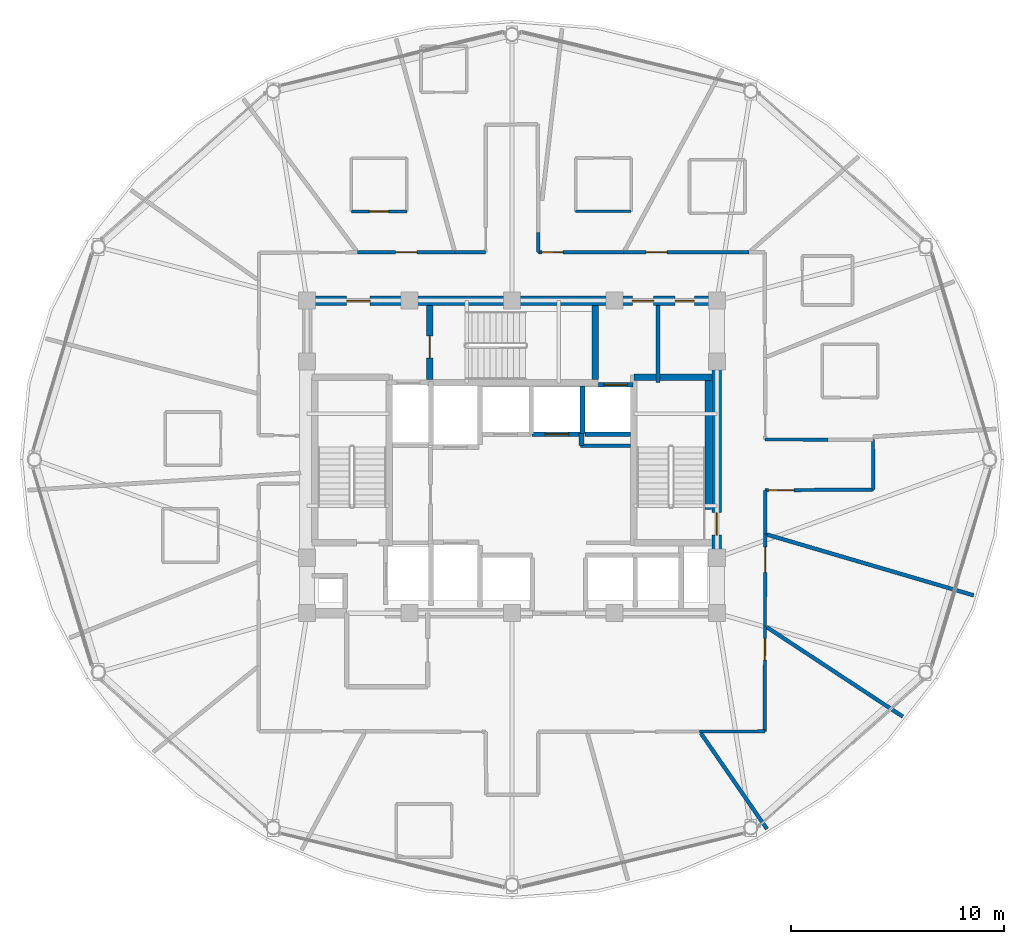
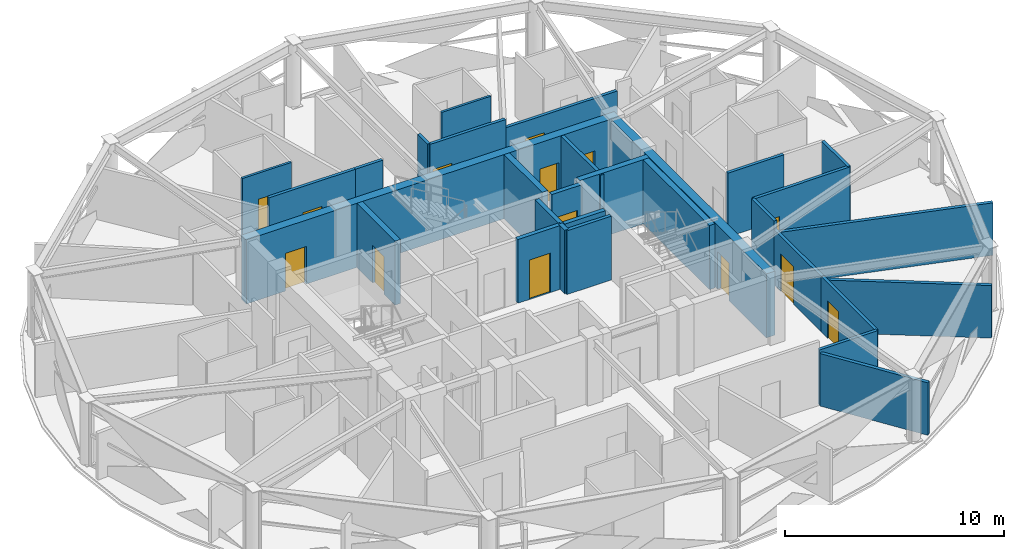
# One storey, part 24 of 30: 30 walls, 14 doors, 14 openings.
"""IFC4 building model written with IfcOpenShell, lengths in metres."""

from ifc_helpers import new_model, si_unit, direction, frame, frame_2d, origin, place, context, subcontext, project, spatial, rectangle, extrude, material, layer, layer_set, type_object, element, fill, save


model = new_model("IFC4")

# Units and contexts
model_context = context("Model", 3, precision=1e-05, world=origin(), true_north=direction((0.0, 1.0)))
body_context = subcontext(model_context, "Body", "Model", "MODEL_VIEW")
ifc_project = project(units=[si_unit("LENGTHUNIT", "METRE"), si_unit("AREAUNIT", "SQUARE_METRE"), si_unit("VOLUMEUNIT", "CUBIC_METRE"), si_unit("PLANEANGLEUNIT", "RADIAN"), si_unit("MASSUNIT", "GRAM", prefix="KILO")], contexts=[model_context])

# Site, building, storey
site_placement = place(None, origin())
site = spatial("IfcSite", under=ifc_project, at=site_placement, CompositionType="ELEMENT")
building_placement = place(site_placement, origin())
building = spatial("IfcBuilding", under=site, at=building_placement, Name="Vantalir Tower", CompositionType="ELEMENT")
storey_placement = place(building_placement, frame((0.0, 0.0, 201.14990234375)))
storey = spatial("IfcBuildingStorey", under=building, at=storey_placement, Name="L50", CompositionType="ELEMENT", Elevation=201.14990234375)

# Wall
ifc_material_1 = material(Name="Moisture-resistant en-suite partition", Category="gypsum")
ifc_layer_1 = layer(ifc_material_1, 0.125)
ifc_layer_set_1 = layer_set([ifc_layer_1], Name="Moisture-resistant en-suite partition")
wall_type_1 = type_object("IfcWallType", Name="WL-BATH-125", PredefinedType="PARTITIONING", material=ifc_layer_set_1)
wall_1_placement = place(storey_placement, frame((34.48095703125, 36.634033203125, 0.0), z_axis=(0.0, 0.0, 1.0), x_axis=(1.0, 0.0, 0.0)))
element("IfcWall", 1, at=wall_1_placement, inside=storey, type_object=wall_type_1, Name="L50 En-suite 04 South Wall", PredefinedType="PARTITIONING", context=body_context, shape_type="SweptSolid", body=[
    extrude(rectangle(XDim=2.60009765625, YDim=0.125, at=frame_2d((1.300048828125, 0.0))), origin(), (0.0, 0.0, 1.0), 3.550048828125),
])

# Wall, opening, door
wall_2_placement = place(storey_placement, frame((23.970947265625, 36.6259765625, 0.0), z_axis=(0.0, 0.0, 1.0), x_axis=(1.0, 0.0, 0.0)))
wall_2 = element("IfcWall", 2, at=wall_2_placement, inside=storey, type_object=wall_type_1, Name="L50 En-suite 06 South Wall", PredefinedType="PARTITIONING", context=body_context, shape_type="SweptSolid", body=[
    extrude(rectangle(XDim=2.60009765625, YDim=0.125, at=frame_2d((1.300048828125, 0.0))), origin(), (0.0, 0.0, 1.0), 3.550048828125),
])
opening_1_placement = place(wall_2_placement, frame((0.85009765625, 0.0, 0.0)))
opening_1 = element("IfcOpeningElement", 3, at=opening_1_placement, cuts=wall_2, Name="Opening D-WC", PredefinedType="OPENING", context=body_context, shape_type="SweptSolid", body=[
    extrude(rectangle(XDim=0.89990234375, YDim=2.10009765625, at=frame_2d((0.449951171875, 1.050048828125))), frame((0.0, 0.072509765625, 0.0), z_axis=(0.0, -1.0, 0.0), x_axis=(1.0, 0.0, 0.0)), (0.0, 0.0, 1.0), 0.14501953125),
])
ifc_material_2 = material(Name="Moisture-resistant hardwood door", Category="wood")
door_type_1 = type_object("IfcDoorType", Name="DR-ENSUITE-900", OperationType="NOTDEFINED", PredefinedType="DOOR", material=ifc_material_2)
door_1_placement = place(opening_1_placement, origin())
door_1 = element("IfcDoor", 4, at=door_1_placement, inside=storey, type_object=door_type_1, Name="L50 En-suite 06 Door", OperationType="SINGLE_SWING_LEFT", OverallHeight=2.10009765625, OverallWidth=0.89990234375, PredefinedType="DOOR", context=body_context, shape_type="SweptSolid", body=[
    extrude(rectangle(XDim=0.89990234375, YDim=2.10009765625, at=frame_2d((0.449951171875, 1.050048828125))), frame((0.0, 0.02490234375, 0.0), z_axis=(0.0, -1.0, 0.0), x_axis=(1.0, 0.0, 0.0)), (0.0, 0.0, 1.0), 0.050048828125),
])
fill(opening_1, door_1)

# Wall, openings, doors
ifc_material_3 = material(Name="Concrete C50/60", Category="concrete")
ifc_layer_2 = layer(ifc_material_3, 0.449951171875)
ifc_layer_set_2 = layer_set([ifc_layer_2], Name="Concrete C50/60")
wall_type_2 = type_object("IfcWallType", Name="WL-CORE-450", PredefinedType="SHEAR", material=ifc_layer_set_2)
wall_3_placement = place(storey_placement, frame((21.675048828125, 32.449951171875, 0.0), z_axis=(0.0, 0.0, 1.0), x_axis=(1.0, 0.0, 0.0)))
wall_3 = element("IfcWall", 5, at=wall_3_placement, inside=storey, type_object=wall_type_2, Name="L50 Core Shear Wall North", PredefinedType="SHEAR", context=body_context, shape_type="SweptSolid", body=[
    extrude(rectangle(XDim=19.64990234375, YDim=0.449951171875, at=frame_2d((9.824951171875, 0.0))), origin(), (0.0, 0.0, 1.0), 3.570068359375),
])
opening_2_placement = place(wall_3_placement, frame((2.074951171875, 0.0, 0.0)))
opening_2 = element("IfcOpeningElement", 6, at=opening_2_placement, cuts=wall_3, Name="Opening D-FFL", PredefinedType="OPENING", context=body_context, shape_type="SweptSolid", body=[
    extrude(rectangle(XDim=1.10009765625, YDim=2.10009765625, at=frame_2d((0.550048828125, 1.050048828125))), frame((0.0, 0.23486328125, 0.0), z_axis=(0.0, -1.0, 0.0), x_axis=(1.0, 0.0, 0.0)), (0.0, 0.0, 1.0), 0.469970703125),
])
opening_3_placement = place(wall_3_placement, frame((15.465087890625, 0.0, 0.0)))
opening_3 = element("IfcOpeningElement", 7, at=opening_3_placement, cuts=wall_3, Name="Opening D-GUEST", PredefinedType="OPENING", context=body_context, shape_type="SweptSolid", body=[
    extrude(rectangle(XDim=1.0, YDim=2.10009765625, at=frame_2d((0.5, 1.050048828125))), frame((0.0, 0.23486328125, 0.0), z_axis=(0.0, -1.0, 0.0), x_axis=(1.0, 0.0, 0.0)), (0.0, 0.0, 1.0), 0.469970703125),
])
opening_4_placement = place(wall_3_placement, frame((17.47509765625, 0.0, 0.0)))
opening_4 = element("IfcOpeningElement", 8, at=opening_4_placement, cuts=wall_3, Name="Opening D-CR", PredefinedType="OPENING", context=body_context, shape_type="SweptSolid", body=[
    extrude(rectangle(XDim=0.89990234375, YDim=2.10009765625, at=frame_2d((0.449951171875, 1.050048828125))), frame((0.0, 0.23486328125, 0.0), z_axis=(0.0, -1.0, 0.0), x_axis=(1.0, 0.0, 0.0)), (0.0, 0.0, 1.0), 0.469970703125),
])
ifc_material_4 = material(Name="Fire-rated steel core service door", Category="steel")
door_type_2 = type_object("IfcDoorType", Name="DR-CORE-SERV-900", OperationType="NOTDEFINED", PredefinedType="DOOR", material=ifc_material_4)
door_2_placement = place(opening_4_placement, frame((0.89990234375, 0.0, 0.0), z_axis=(0.0, 0.0, 1.0), x_axis=(-1.0, 0.0, 0.0)))
door_2 = element("IfcDoor", 9, at=door_2_placement, inside=storey, type_object=door_type_2, Name="L50 Housekeeping and Linen Room Door", OperationType="SINGLE_SWING_RIGHT", OverallHeight=2.10009765625, OverallWidth=0.89990234375, PredefinedType="DOOR", context=body_context, shape_type="SweptSolid", body=[
    extrude(rectangle(XDim=0.89990234375, YDim=2.10009765625, at=frame_2d((0.449951171875, 1.050048828125))), frame((0.0, 0.02490234375, 0.0), z_axis=(0.0, -1.0, 0.0), x_axis=(1.0, 0.0, 0.0)), (0.0, 0.0, 1.0), 0.050048828125),
])
fill(opening_4, door_2)
ifc_material_5 = material(Name="Fire-rated acoustic steel door", Category="steel")
door_type_3 = type_object("IfcDoorType", Name="DR-FIRE-LOBBY-1100", OperationType="NOTDEFINED", PredefinedType="DOOR", material=ifc_material_5)
door_3_placement = place(opening_2_placement, frame((1.10009765625, 0.0, 0.0), z_axis=(0.0, 0.0, 1.0), x_axis=(-1.0, 0.0, 0.0)))
door_3 = element("IfcDoor", 10, at=door_3_placement, inside=storey, type_object=door_type_3, Name="L50 Firefighting Lobby East Access Door", OperationType="SINGLE_SWING_RIGHT", OverallHeight=2.10009765625, OverallWidth=1.10009765625, PredefinedType="DOOR", context=body_context, shape_type="SweptSolid", body=[
    extrude(rectangle(XDim=1.10009765625, YDim=2.10009765625, at=frame_2d((0.550048828125, 1.050048828125))), frame((0.0, 0.02490234375, 0.0), z_axis=(0.0, -1.0, 0.0), x_axis=(1.0, 0.0, 0.0)), (0.0, 0.0, 1.0), 0.050048828125),
])
fill(opening_2, door_3)
ifc_material_6 = material(Name="Solid-core teak veneer acoustic fire door", Category="wood")
door_type_4 = type_object("IfcDoorType", Name="DR-GUEST-ENTRY-1000", OperationType="NOTDEFINED", PredefinedType="DOOR", material=ifc_material_6)
door_4_placement = place(opening_3_placement, frame((1.0, 0.0, 0.0), z_axis=(0.0, 0.0, 1.0), x_axis=(-1.0, 0.0, 0.0)))
door_4 = element("IfcDoor", 11, at=door_4_placement, inside=storey, type_object=door_type_4, Name="L50 High-Rise Lift Lobby Door", OperationType="SINGLE_SWING_LEFT", OverallHeight=2.10009765625, OverallWidth=1.0, PredefinedType="DOOR", context=body_context, shape_type="SweptSolid", body=[
    extrude(rectangle(XDim=1.0, YDim=2.10009765625, at=frame_2d((0.5, 1.050048828125))), frame((0.0, 0.02490234375, 0.0), z_axis=(0.0, -1.0, 0.0), x_axis=(1.0, 0.0, 0.0)), (0.0, 0.0, 1.0), 0.050048828125),
])
fill(opening_3, door_4)

# Wall, opening, door
wall_4_placement = place(storey_placement, frame((41.10009765625, 18.02490234375, 0.0), z_axis=(0.0, 0.0, 1.0), x_axis=(0.0, 1.0, 0.0)))
wall_4 = element("IfcWall", 12, at=wall_4_placement, inside=storey, type_object=wall_type_2, Name="L50 Core Shear Wall East", PredefinedType="SHEAR", context=body_context, shape_type="SweptSolid", body=[
    extrude(rectangle(XDim=14.2001953125, YDim=0.449951171875, at=frame_2d((7.10009765625, 0.0))), origin(), (0.0, 0.0, 1.0), 3.570068359375),
])
opening_5_placement = place(wall_4_placement, frame((3.43505859375, 0.0, 0.0)))
opening_5 = element("IfcOpeningElement", 13, at=opening_5_placement, cuts=wall_4, Name="Opening D-ST", PredefinedType="OPENING", context=body_context, shape_type="SweptSolid", body=[
    extrude(rectangle(XDim=1.050048828125, YDim=2.10009765625, at=frame_2d((0.52490234375, 1.050048828125))), frame((0.0, 0.23486328125, 0.0), z_axis=(0.0, -1.0, 0.0), x_axis=(1.0, 0.0, 0.0)), (0.0, 0.0, 1.0), 0.469970703125),
])
ifc_material_7 = material(Name="Fire-rated steel door leaf", Category="steel")
door_type_5 = type_object("IfcDoorType", Name="DR-FIRE-STAIR-1050", OperationType="NOTDEFINED", PredefinedType="DOOR", material=ifc_material_7)
door_5_placement = place(opening_5_placement, origin())
door_5 = element("IfcDoor", 14, at=door_5_placement, inside=storey, type_object=door_type_5, Name="L50 Exit Stair ST2 Fire Door", OperationType="SINGLE_SWING_LEFT", OverallHeight=2.10009765625, OverallWidth=1.050048828125, PredefinedType="DOOR", context=body_context, shape_type="SweptSolid", body=[
    extrude(rectangle(XDim=1.050048828125, YDim=2.10009765625, at=frame_2d((0.52490234375, 1.050048828125))), frame((0.0, 0.02490234375, 0.0), z_axis=(0.0, -1.0, 0.0), x_axis=(1.0, 0.0, 0.0)), (0.0, 0.0, 1.0), 0.050048828125),
])
fill(opening_5, door_5)

ifc_material_8 = material(Name="Fire-rated hotel corridor acoustic partition", Category="gypsum")
ifc_layer_3 = layer(ifc_material_8, 0.159912109375)
ifc_layer_set_3 = layer_set([ifc_layer_3], Name="Fire-rated hotel corridor acoustic partition")
wall_type_3 = type_object("IfcWallType", Name="WL-CORR-160", PredefinedType="PARTITIONING", material=ifc_layer_set_3)
wall_5_placement = place(storey_placement, frame((24.26806640625, 34.70703125, 0.0), z_axis=(0.0, 0.0, 1.0), x_axis=(0.999999173323, 0.001285828029, 0.0)))
wall_5 = element("IfcWall", 15, at=wall_5_placement, inside=storey, type_object=wall_type_3, Name="L50 Corridor Partition 06", PredefinedType="PARTITIONING", context=body_context, shape_type="SweptSolid", body=[
    extrude(rectangle(XDim=4.556884765625, YDim=0.159912109375, at=frame_2d((2.2783203125, 0.0))), origin(), (0.0, 0.0, 1.0), 3.550048828125),
])
opening_6_placement = place(wall_5_placement, frame((1.779052734375, 0.0, 0.0)))
opening_6 = element("IfcOpeningElement", 16, at=opening_6_placement, cuts=wall_5, Name="Opening D-GUEST", PredefinedType="OPENING", context=body_context, shape_type="SweptSolid", body=[
    extrude(rectangle(XDim=1.0, YDim=2.10009765625, at=frame_2d((0.5, 1.050048828125))), frame((0.0, 0.08984375, 0.0), z_axis=(0.0, -1.0, 0.0), x_axis=(1.0, 0.0, 0.0)), (0.0, 0.0, 1.0), 0.179931640625),
])
door_6_placement = place(opening_6_placement, origin())
door_6 = element("IfcDoor", 17, at=door_6_placement, inside=storey, type_object=door_type_4, Name="L50 Deluxe King Hotel Room 06 Door", OperationType="SINGLE_SWING_LEFT", OverallHeight=2.10009765625, OverallWidth=1.0, PredefinedType="DOOR", context=body_context, shape_type="SweptSolid", body=[
    extrude(rectangle(XDim=1.0, YDim=2.10009765625, at=frame_2d((0.5, 1.050048828125))), frame((0.0, 0.02490234375, 0.0), z_axis=(0.0, -1.0, 0.0), x_axis=(1.0, 0.0, 0.0)), (0.0, 0.0, 1.0), 0.050048828125),
])
fill(opening_6, door_6)

# Walls
wall_6_placement = place(storey_placement, frame((28.824951171875, 34.712890625, 0.0), z_axis=(0.0, 0.0, 1.0), x_axis=(0.999998827818, 0.001531131244, 0.0)))
element("IfcWall", 18, at=wall_6_placement, inside=storey, type_object=wall_type_3, Name="L50 Corridor Partition 07", PredefinedType="PARTITIONING", context=body_context, shape_type="SweptSolid", body=[
    extrude(rectangle(XDim=1.43505859375, YDim=0.159912109375, at=frame_2d((0.717529296875, 0.0))), origin(), (0.0, 0.0, 1.0), 3.550048828125),
])
wall_7_placement = place(storey_placement, frame((32.73388671875, 35.631103515625, 0.0), z_axis=(0.0, 0.0, 1.0), x_axis=(0.0066629651, -0.999977802202, 0.0)))
element("IfcWall", 19, at=wall_7_placement, inside=storey, type_object=wall_type_3, Name="L50 Corridor Partition 11", PredefinedType="PARTITIONING", context=body_context, shape_type="SweptSolid", body=[
    extrude(rectangle(XDim=0.916015625, YDim=0.159912109375, at=frame_2d((0.4580078125, 0.0))), origin(), (0.0, 0.0, 1.0), 3.550048828125),
])

# Wall, opening, door
wall_8_placement = place(storey_placement, frame((32.739990234375, 34.715087890625, 0.0), z_axis=(0.0, 0.0, 1.0), x_axis=(0.999999684096, -0.000794863705, 0.0)))
wall_8 = element("IfcWall", 20, at=wall_8_placement, inside=storey, type_object=wall_type_3, Name="L50 Corridor Partition 12", PredefinedType="PARTITIONING", context=body_context, shape_type="SweptSolid", body=[
    extrude(rectangle(XDim=3.992919921875, YDim=0.159912109375, at=frame_2d((1.99658203125, 0.0))), origin(), (0.0, 0.0, 1.0), 3.550048828125),
])
opening_7_placement = place(wall_8_placement, frame((0.159912109375, 0.0, 0.0)))
opening_7 = element("IfcOpeningElement", 21, at=opening_7_placement, cuts=wall_8, Name="Opening D-GUEST", PredefinedType="OPENING", context=body_context, shape_type="SweptSolid", body=[
    extrude(rectangle(XDim=1.0, YDim=2.10009765625, at=frame_2d((0.5, 1.050048828125))), frame((0.0, 0.08984375, 0.0), z_axis=(0.0, -1.0, 0.0), x_axis=(1.0, 0.0, 0.0)), (0.0, 0.0, 1.0), 0.179931640625),
])
door_7_placement = place(opening_7_placement, origin())
door_7 = element("IfcDoor", 22, at=door_7_placement, inside=storey, type_object=door_type_4, Name="L50 Twin Queen Hotel Room 04 Door", OperationType="SINGLE_SWING_LEFT", OverallHeight=2.10009765625, OverallWidth=1.0, PredefinedType="DOOR", context=body_context, shape_type="SweptSolid", body=[
    extrude(rectangle(XDim=1.0, YDim=2.10009765625, at=frame_2d((0.5, 1.050048828125))), frame((0.0, 0.02490234375, 0.0), z_axis=(0.0, -1.0, 0.0), x_axis=(1.0, 0.0, 0.0)), (0.0, 0.0, 1.0), 0.050048828125),
])
fill(opening_7, door_7)

wall_9_placement = place(storey_placement, frame((36.73291015625, 34.7119140625, 0.0), z_axis=(0.0, 0.0, 1.0), x_axis=(0.999999875581, -0.000498835987, 0.0)))
wall_9 = element("IfcWall", 23, at=wall_9_placement, inside=storey, type_object=wall_type_3, Name="L50 Corridor Partition 13", PredefinedType="PARTITIONING", context=body_context, shape_type="SweptSolid", body=[
    extrude(rectangle(XDim=5.873046875, YDim=0.159912109375, at=frame_2d((2.9365234375, 0.0))), origin(), (0.0, 0.0, 1.0), 3.0810546875),
])
opening_8_placement = place(wall_9_placement, frame((1.041015625, 0.0, 0.0)))
opening_8 = element("IfcOpeningElement", 24, at=opening_8_placement, cuts=wall_9, Name="Opening D-GUEST", PredefinedType="OPENING", context=body_context, shape_type="SweptSolid", body=[
    extrude(rectangle(XDim=1.0, YDim=2.10009765625, at=frame_2d((0.5, 1.050048828125))), frame((0.0, 0.08984375, 0.0), z_axis=(0.0, -1.0, 0.0), x_axis=(1.0, 0.0, 0.0)), (0.0, 0.0, 1.0), 0.179931640625),
])
door_8_placement = place(opening_8_placement, origin())
door_8 = element("IfcDoor", 25, at=door_8_placement, inside=storey, type_object=door_type_4, Name="L50 Deluxe King Hotel Room 03 Door", OperationType="SINGLE_SWING_RIGHT", OverallHeight=2.10009765625, OverallWidth=1.0, PredefinedType="DOOR", context=body_context, shape_type="SweptSolid", body=[
    extrude(rectangle(XDim=1.0, YDim=2.10009765625, at=frame_2d((0.5, 1.050048828125))), frame((0.0, 0.02490234375, 0.0), z_axis=(0.0, -1.0, 0.0), x_axis=(1.0, 0.0, 0.0)), (0.0, 0.0, 1.0), 0.050048828125),
])
fill(opening_8, door_8)

# Walls
wall_10_placement = place(storey_placement, frame((43.364990234375, 25.93994140625, 0.0), z_axis=(0.0, 0.0, 1.0), x_axis=(0.99999978111, -0.000661649016, 0.0)))
element("IfcWall", 26, at=wall_10_placement, inside=storey, type_object=wall_type_3, Name="L50 Corridor Partition 17", PredefinedType="PARTITIONING", context=body_context, shape_type="SweptSolid", body=[
    extrude(rectangle(XDim=2.951904296875, YDim=0.159912109375, at=frame_2d((1.47607421875, 0.0))), origin(), (0.0, 0.0, 1.0), 3.550048828125),
])
wall_11_placement = place(storey_placement, frame((48.4150390625, 25.93701171875, 0.0), z_axis=(0.0, 0.0, 1.0), x_axis=(0.010636586698, -0.999943429912, 0.0)))
element("IfcWall", 27, at=wall_11_placement, inside=storey, type_object=wall_type_3, Name="L50 Corridor Partition 19", PredefinedType="PARTITIONING", context=body_context, shape_type="SweptSolid", body=[
    extrude(rectangle(XDim=2.34130859375, YDim=0.159912109375, at=frame_2d((1.170654296875, 0.0))), origin(), (0.0, 0.0, 1.0), 3.550048828125),
])

# Wall, opening, door
wall_12_placement = place(storey_placement, frame((48.43994140625, 23.595947265625, 0.0), z_axis=(0.0, 0.0, 1.0), x_axis=(-0.999974996273, -0.007071550702, 0.0)))
wall_12 = element("IfcWall", 28, at=wall_12_placement, inside=storey, type_object=wall_type_3, Name="L50 Corridor Partition 20", PredefinedType="PARTITIONING", context=body_context, shape_type="SweptSolid", body=[
    extrude(rectangle(XDim=5.0751953125, YDim=0.159912109375, at=frame_2d((2.53759765625, 0.0))), origin(), (0.0, 0.0, 1.0), 3.550048828125),
])
opening_9_placement = place(wall_12_placement, frame((3.715087890625, 0.0, 0.0)))
opening_9 = element("IfcOpeningElement", 29, at=opening_9_placement, cuts=wall_12, Name="Opening D-STE", PredefinedType="OPENING", context=body_context, shape_type="SweptSolid", body=[
    extrude(rectangle(XDim=1.199951171875, YDim=2.10009765625, at=frame_2d((0.60009765625, 1.050048828125))), frame((0.0, 0.08984375, 0.0), z_axis=(0.0, -1.0, 0.0), x_axis=(1.0, 0.0, 0.0)), (0.0, 0.0, 1.0), 0.179931640625),
])
ifc_material_9 = material(Name="Solid-core teak veneer suite entrance door", Category="wood")
door_type_6 = type_object("IfcDoorType", Name="DR-SUITE-ENTRY-1200", OperationType="NOTDEFINED", PredefinedType="DOOR", material=ifc_material_9)
door_9_placement = place(opening_9_placement, origin())
door_9 = element("IfcDoor", 30, at=door_9_placement, inside=storey, type_object=door_type_6, Name="L50 Club Reading Lounge 17 Door", OperationType="SINGLE_SWING_RIGHT", OverallHeight=2.10009765625, OverallWidth=1.199951171875, PredefinedType="DOOR", context=body_context, shape_type="SweptSolid", body=[
    extrude(rectangle(XDim=1.199951171875, YDim=2.10009765625, at=frame_2d((0.60009765625, 1.050048828125))), frame((0.0, 0.02490234375, 0.0), z_axis=(0.0, -1.0, 0.0), x_axis=(1.0, 0.0, 0.0)), (0.0, 0.0, 1.0), 0.050048828125),
])
fill(opening_9, door_9)

# Wall
wall_13_placement = place(storey_placement, frame((43.364990234375, 23.56005859375, 0.0), z_axis=(0.0, 0.0, 1.0), x_axis=(-0.001429761436, -0.999998977891, 0.0)))
element("IfcWall", 31, at=wall_13_placement, inside=storey, type_object=wall_type_3, Name="L50 Corridor Partition 21", PredefinedType="PARTITIONING", context=body_context, shape_type="SweptSolid", body=[
    extrude(rectangle(XDim=2.049072265625, YDim=0.159912109375, at=frame_2d((1.0244140625, 0.0))), origin(), (0.0, 0.0, 1.0), 3.550048828125),
])

# Wall, opening, door
wall_14_placement = place(storey_placement, frame((43.362060546875, 21.510986328125, 0.0), z_axis=(0.0, 0.0, 1.0), x_axis=(-0.001189800858, -0.999999292187, 0.0)))
wall_14 = element("IfcWall", 32, at=wall_14_placement, inside=storey, type_object=wall_type_3, Name="L50 Corridor Partition 22", PredefinedType="PARTITIONING", context=body_context, shape_type="SweptSolid", body=[
    extrude(rectangle(XDim=4.30908203125, YDim=0.159912109375, at=frame_2d((2.154541015625, 0.0))), origin(), (0.0, 0.0, 1.0), 3.0810546875),
])
opening_10_placement = place(wall_14_placement, frame((0.60009765625, 0.0, 0.0)))
opening_10 = element("IfcOpeningElement", 33, at=opening_10_placement, cuts=wall_14, Name="Opening D-STE", PredefinedType="OPENING", context=body_context, shape_type="SweptSolid", body=[
    extrude(rectangle(XDim=1.199951171875, YDim=2.10009765625, at=frame_2d((0.60009765625, 1.050048828125))), frame((0.0, 0.08984375, 0.0), z_axis=(0.0, -1.0, 0.0), x_axis=(1.0, 0.0, 0.0)), (0.0, 0.0, 1.0), 0.179931640625),
])
door_10_placement = place(opening_10_placement, origin())
door_10 = element("IfcDoor", 34, at=door_10_placement, inside=storey, type_object=door_type_6, Name="L50 Club Reading Lounge 16 Door", OperationType="SINGLE_SWING_LEFT", OverallHeight=2.10009765625, OverallWidth=1.199951171875, PredefinedType="DOOR", context=body_context, shape_type="SweptSolid", body=[
    extrude(rectangle(XDim=1.199951171875, YDim=2.10009765625, at=frame_2d((0.60009765625, 1.050048828125))), frame((0.0, 0.02490234375, 0.0), z_axis=(0.0, -1.0, 0.0), x_axis=(1.0, 0.0, 0.0)), (0.0, 0.0, 1.0), 0.050048828125),
])
fill(opening_10, door_10)

wall_15_placement = place(storey_placement, frame((43.35693359375, 17.201904296875, 0.0), z_axis=(0.0, 0.0, 1.0), x_axis=(-0.00138298791, -0.999999043672, 0.0)))
wall_15 = element("IfcWall", 35, at=wall_15_placement, inside=storey, type_object=wall_type_3, Name="L50 Corridor Partition 23", PredefinedType="PARTITIONING", context=body_context, shape_type="SweptSolid", body=[
    extrude(rectangle(XDim=4.94287109375, YDim=0.159912109375, at=frame_2d((2.471435546875, 0.0))), origin(), (0.0, 0.0, 1.0), 3.0810546875),
])
opening_11_placement = place(wall_15_placement, frame((0.594970703125, 0.0, 0.0)))
opening_11 = element("IfcOpeningElement", 36, at=opening_11_placement, cuts=wall_15, Name="Opening D-GUEST", PredefinedType="OPENING", context=body_context, shape_type="SweptSolid", body=[
    extrude(rectangle(XDim=1.0, YDim=2.10009765625, at=frame_2d((0.5, 1.050048828125))), frame((0.0, 0.08984375, 0.0), z_axis=(0.0, -1.0, 0.0), x_axis=(1.0, 0.0, 0.0)), (0.0, 0.0, 1.0), 0.179931640625),
])
door_11_placement = place(opening_11_placement, origin())
door_11 = element("IfcDoor", 37, at=door_11_placement, inside=storey, type_object=door_type_4, Name="L50 Executive Sky Boardroom 15 Door", OperationType="SINGLE_SWING_RIGHT", OverallHeight=2.10009765625, OverallWidth=1.0, PredefinedType="DOOR", context=body_context, shape_type="SweptSolid", body=[
    extrude(rectangle(XDim=1.0, YDim=2.10009765625, at=frame_2d((0.5, 1.050048828125))), frame((0.0, 0.02490234375, 0.0), z_axis=(0.0, -1.0, 0.0), x_axis=(1.0, 0.0, 0.0)), (0.0, 0.0, 1.0), 0.050048828125),
])
fill(opening_11, door_11)

# Walls
wall_16_placement = place(storey_placement, frame((43.35009765625, 12.259033203125, 0.0), z_axis=(0.0, 0.0, 1.0), x_axis=(-0.999999539569, -0.000959615712, 0.0)))
element("IfcWall", 38, at=wall_16_placement, inside=storey, type_object=wall_type_3, Name="L50 Corridor Partition 24", PredefinedType="PARTITIONING", context=body_context, shape_type="SweptSolid", body=[
    extrude(rectangle(XDim=3.052978515625, YDim=0.159912109375, at=frame_2d((1.5263671875, 0.0))), origin(), (0.0, 0.0, 1.0), 3.0810546875),
])
ifc_material_10 = material(Name="Concrete blockwork with fireboard lining", Category="masonry")
ifc_layer_4 = layer(ifc_material_10, 0.219970703125)
ifc_layer_set_4 = layer_set([ifc_layer_4], Name="Concrete blockwork with fireboard lining")
wall_type_4 = type_object("IfcWallType", Name="WL-FFL-220", PredefinedType="PARTITIONING", material=ifc_layer_set_4)
wall_17_placement = place(storey_placement, frame((34.800048828125, 26.22998046875, 0.0), z_axis=(0.0, 0.0, 1.0), x_axis=(0.0, 1.0, 0.0)))
element("IfcWall", 39, at=wall_17_placement, inside=storey, type_object=wall_type_4, Name="L50 High-Rise Lift PL-H2/H3 Shaft Divider", PredefinedType="PARTITIONING", context=body_context, shape_type="SweptSolid", body=[
    extrude(rectangle(XDim=2.2099609375, YDim=0.219970703125, at=frame_2d((1.10498046875, 0.0))), origin(), (0.0, 0.0, 1.0), 3.545166015625),
])
wall_18_placement = place(storey_placement, frame((34.909912109375, 26.18994140625, 0.0), z_axis=(0.0, 0.0, 1.0), x_axis=(1.0, 0.0, 0.0)))
element("IfcWall", 40, at=wall_18_placement, inside=storey, type_object=wall_type_4, Name="L50 High-Rise Lift PL-H3 Rear Shaft Wall", PredefinedType="PARTITIONING", context=body_context, shape_type="SweptSolid", body=[
    extrude(rectangle(XDim=2.14013671875, YDim=0.219970703125, at=frame_2d((1.070068359375, 0.0))), origin(), (0.0, 0.0, 1.0), 3.545166015625),
])

# Wall, opening, door
wall_19_placement = place(storey_placement, frame((32.43994140625, 26.18994140625, 0.0), z_axis=(0.0, 0.0, 1.0), x_axis=(1.0, 0.0, 0.0)))
wall_19 = element("IfcWall", 41, at=wall_19_placement, inside=storey, type_object=wall_type_4, Name="L50 Lift PL-H2 Shaft Front Wall", PredefinedType="PARTITIONING", context=body_context, shape_type="SweptSolid", body=[
    extrude(rectangle(XDim=2.320068359375, YDim=0.219970703125, at=frame_2d((1.16015625, 0.0))), origin(), (0.0, 0.0, 1.0), 3.550048828125),
])
opening_12_placement = place(wall_19_placement, frame((0.610107421875, 0.0, 0.0)))
opening_12 = element("IfcOpeningElement", 42, at=opening_12_placement, cuts=wall_19, Name="Opening LD-PL-H2", PredefinedType="OPENING", context=body_context, shape_type="SweptSolid", body=[
    extrude(rectangle(XDim=1.10009765625, YDim=2.199951171875, at=frame_2d((0.550048828125, 1.10009765625))), frame((0.0, 0.119873046875, 0.0), z_axis=(0.0, -1.0, 0.0), x_axis=(1.0, 0.0, 0.0)), (0.0, 0.0, 1.0), 0.239990234375),
])
ifc_material_11 = material(Name="Brushed stainless-steel sliding lift landing door", Category="steel")
door_type_7 = type_object("IfcDoorType", Name="DR-LIFT-LANDING-1100", OperationType="DOUBLE_DOOR_SLIDING", PredefinedType="DOOR", material=ifc_material_11)
door_12_placement = place(opening_12_placement, frame((1.10009765625, 0.0, 0.0), z_axis=(0.0, 0.0, 1.0), x_axis=(-1.0, 0.0, 0.0)))
door_12 = element("IfcDoor", 43, at=door_12_placement, inside=storey, type_object=door_type_7, Name="L50 Lift Landing Door PL-H2", OperationType="DOUBLE_DOOR_SLIDING", OverallHeight=2.199951171875, OverallWidth=1.10009765625, PredefinedType="DOOR", context=body_context, shape_type="SweptSolid", body=[
    extrude(rectangle(XDim=1.10009765625, YDim=2.199951171875, at=frame_2d((0.550048828125, 1.10009765625))), frame((0.0, 0.02490234375, 0.0), z_axis=(0.0, -1.0, 0.0), x_axis=(1.0, 0.0, 0.0)), (0.0, 0.0, 1.0), 0.050048828125),
])
fill(opening_12, door_12)

wall_20_placement = place(storey_placement, frame((35.56005859375, 28.510009765625, 0.0), z_axis=(0.0, 0.0, 1.0), x_axis=(1.0, 0.0, 0.0)))
wall_20 = element("IfcWall", 44, at=wall_20_placement, inside=storey, type_object=wall_type_4, Name="L50 Lift PL-H3 Shaft Front Wall", PredefinedType="PARTITIONING", context=body_context, shape_type="SweptSolid", body=[
    extrude(rectangle(XDim=1.599853515625, YDim=0.219970703125, at=frame_2d((0.7998046875, 0.0))), origin(), (0.0, 0.0, 1.0), 3.550048828125),
])
opening_13_placement = place(wall_20_placement, frame((0.25, 0.0, 0.0)))
opening_13 = element("IfcOpeningElement", 45, at=opening_13_placement, cuts=wall_20, Name="Opening LD-PL-H3", PredefinedType="OPENING", context=body_context, shape_type="SweptSolid", body=[
    extrude(rectangle(XDim=1.10009765625, YDim=2.199951171875, at=frame_2d((0.550048828125, 1.10009765625))), frame((0.0, 0.119873046875, 0.0), z_axis=(0.0, -1.0, 0.0), x_axis=(1.0, 0.0, 0.0)), (0.0, 0.0, 1.0), 0.239990234375),
])
door_13_placement = place(opening_13_placement, origin())
door_13 = element("IfcDoor", 46, at=door_13_placement, inside=storey, type_object=door_type_7, Name="L50 Lift Landing Door PL-H3", OperationType="DOUBLE_DOOR_SLIDING", OverallHeight=2.199951171875, OverallWidth=1.10009765625, PredefinedType="DOOR", context=body_context, shape_type="SweptSolid", body=[
    extrude(rectangle(XDim=1.10009765625, YDim=2.199951171875, at=frame_2d((0.550048828125, 1.10009765625))), frame((0.0, 0.02490234375, 0.0), z_axis=(0.0, -1.0, 0.0), x_axis=(1.0, 0.0, 0.0)), (0.0, 0.0, 1.0), 0.050048828125),
])
fill(opening_13, door_13)

# Walls
wall_21_placement = place(storey_placement, frame((34.760009765625, 25.64990234375, 0.0), z_axis=(0.0, 0.0, 1.0), x_axis=(0.0, 1.0, 0.0)))
element("IfcWall", 47, at=wall_21_placement, inside=storey, type_object=wall_type_4, Name="L50 High-Rise Shaft Shoulder Wall", PredefinedType="PARTITIONING", context=body_context, shape_type="SweptSolid", body=[
    extrude(rectangle(XDim=0.570068359375, YDim=0.219970703125, at=frame_2d((0.28515625, 0.0))), origin(), (0.0, 0.0, 1.0), 3.550048828125),
])
ifc_material_12 = material(Name="Twin-stud acoustic fire-rated gypsum partition", Category="gypsum")
ifc_layer_5 = layer(ifc_material_12, 0.179931640625)
ifc_layer_set_5 = layer_set([ifc_layer_5], Name="Twin-stud acoustic fire-rated gypsum partition")
wall_type_5 = type_object("IfcWallType", Name="WL-GUEST-180", PredefinedType="PARTITIONING", material=ifc_layer_set_5)
wall_22_placement = place(storey_placement, frame((34.719970703125, 25.64990234375, 0.0), z_axis=(0.0, 0.0, 1.0), x_axis=(1.0, 0.0, 0.0)))
element("IfcWall", 48, at=wall_22_placement, inside=storey, type_object=wall_type_5, Name="L50 Freed East Core North Wall", PredefinedType="PARTITIONING", context=body_context, shape_type="SweptSolid", body=[
    extrude(rectangle(XDim=2.340087890625, YDim=0.179931640625, at=frame_2d((1.169921875, 0.0))), origin(), (0.0, 0.0, 1.0), 3.550048828125),
])
wall_23_placement = place(storey_placement, frame((38.340087890625, 28.6201171875, 0.0), z_axis=(0.0, 0.0, 1.0), x_axis=(0.0, 1.0, 0.0)))
element("IfcWall", 49, at=wall_23_placement, inside=storey, type_object=wall_type_5, Name="L50 High-Rise Lift Lobby East Wall", PredefinedType="PARTITIONING", context=body_context, shape_type="SweptSolid", body=[
    extrude(rectangle(XDim=3.60498046875, YDim=0.179931640625, at=frame_2d((1.802490234375, 0.0))), origin(), (0.0, 0.0, 1.0), 3.550048828125),
])
wall_24_placement = place(storey_placement, frame((40.35302734375, 12.175048828125, 0.0), z_axis=(0.0, 0.0, 1.0), x_axis=(0.568031149529, -0.823007055356, 0.0)))
element("IfcWall", 50, at=wall_24_placement, inside=storey, type_object=wall_type_5, Name="L50 Radial Suite Partition 15", PredefinedType="PARTITIONING", context=body_context, shape_type="SweptSolid", body=[
    extrude(rectangle(XDim=5.4521484375, YDim=0.179931640625, at=frame_2d((2.72607421875, 0.0))), origin(), (0.0, 0.0, 1.0), 2.925048828125),
])
wall_25_placement = place(storey_placement, frame((43.43994140625, 17.14697265625, 0.0), z_axis=(0.0, 0.0, 1.0), x_axis=(0.835489758862, -0.549506017107, 0.0)))
element("IfcWall", 51, at=wall_25_placement, inside=storey, type_object=wall_type_5, Name="L50 Radial Suite Partition 16", PredefinedType="PARTITIONING", context=body_context, shape_type="SweptSolid", body=[
    extrude(rectangle(XDim=7.63037109375, YDim=0.179931640625, at=frame_2d((3.815185546875, 0.0))), origin(), (0.0, 0.0, 1.0), 2.925048828125),
])
wall_26_placement = place(storey_placement, frame((43.43994140625, 21.488037109375, 0.0), z_axis=(0.0, 0.0, 1.0), x_axis=(0.959358192885, -0.282191172335, 0.0)))
element("IfcWall", 52, at=wall_26_placement, inside=storey, type_object=wall_type_5, Name="L50 Radial Suite Partition 17", PredefinedType="PARTITIONING", context=body_context, shape_type="SweptSolid", body=[
    extrude(rectangle(XDim=10.106689453125, YDim=0.179931640625, at=frame_2d((5.05322265625, 0.0))), origin(), (0.0, 0.0, 1.0), 2.925048828125),
])
ifc_layer_6 = layer(ifc_material_3, 0.300048828125)
ifc_layer_set_6 = layer_set([ifc_layer_6], Name="Concrete C50/60")
wall_type_6 = type_object("IfcWallType", Name="WL-STAIR-300", PredefinedType="SHEAR", material=ifc_layer_set_6)
wall_27_placement = place(storey_placement, frame((37.2099609375, 28.85009765625, 0.0), z_axis=(0.0, 0.0, 1.0), x_axis=(1.0, 0.0, 0.0)))
element("IfcWall", 53, at=wall_27_placement, inside=storey, type_object=wall_type_6, Name="L50 Stair ST2 North Wall", PredefinedType="SHEAR", context=body_context, shape_type="SweptSolid", body=[
    extrude(rectangle(XDim=3.6650390625, YDim=0.300048828125, at=frame_2d((1.83251953125, 0.0))), origin(), (0.0, 0.0, 1.0), 3.570068359375),
])
wall_28_placement = place(storey_placement, frame((40.68994140625, 22.64990234375, 0.0), z_axis=(0.0, 0.0, 1.0), x_axis=(0.0, 1.0, 0.0)))
element("IfcWall", 54, at=wall_28_placement, inside=storey, type_object=wall_type_6, Name="L50 Stair ST2 East Liner Wall", PredefinedType="SHEAR", context=body_context, shape_type="SweptSolid", body=[
    extrude(rectangle(XDim=6.2001953125, YDim=0.300048828125, at=frame_2d((3.10009765625, 0.0))), origin(), (0.0, 0.0, 1.0), 3.570068359375),
])

# Wall, opening, door
wall_29_placement = place(storey_placement, frame((27.64990234375, 28.75, 0.0), z_axis=(0.0, 0.0, 1.0), x_axis=(0.0, 1.0, 0.0)))
wall_29 = element("IfcWall", 55, at=wall_29_placement, inside=storey, type_object=wall_type_6, Name="L50 Stair ST3 West Wall", PredefinedType="SHEAR", context=body_context, shape_type="SweptSolid", body=[
    extrude(rectangle(XDim=3.47509765625, YDim=0.300048828125, at=frame_2d((1.737548828125, 0.0))), origin(), (0.0, 0.0, 1.0), 3.570068359375),
])
opening_14_placement = place(wall_29_placement, frame((1.0, 0.0, 0.0)))
opening_14 = element("IfcOpeningElement", 56, at=opening_14_placement, cuts=wall_29, Name="Opening D-ST", PredefinedType="OPENING", context=body_context, shape_type="SweptSolid", body=[
    extrude(rectangle(XDim=1.050048828125, YDim=2.10009765625, at=frame_2d((0.52490234375, 1.050048828125))), frame((0.0, 0.159912109375, 0.0), z_axis=(0.0, -1.0, 0.0), x_axis=(1.0, 0.0, 0.0)), (0.0, 0.0, 1.0), 0.320068359375),
])
door_14_placement = place(opening_14_placement, frame((1.050048828125, 0.0, 0.0), z_axis=(0.0, 0.0, 1.0), x_axis=(-1.0, 0.0, 0.0)))
door_14 = element("IfcDoor", 57, at=door_14_placement, inside=storey, type_object=door_type_5, Name="L50 Exit Stair ST3 Fire Door", OperationType="SINGLE_SWING_LEFT", OverallHeight=2.10009765625, OverallWidth=1.050048828125, PredefinedType="DOOR", context=body_context, shape_type="SweptSolid", body=[
    extrude(rectangle(XDim=1.050048828125, YDim=2.10009765625, at=frame_2d((0.52490234375, 1.050048828125))), frame((0.0, 0.02490234375, 0.0), z_axis=(0.0, -1.0, 0.0), x_axis=(1.0, 0.0, 0.0)), (0.0, 0.0, 1.0), 0.050048828125),
])
fill(opening_14, door_14)

# Wall
wall_30_placement = place(storey_placement, frame((35.39990234375, 28.75, 0.0), z_axis=(0.0, 0.0, 1.0), x_axis=(0.0, 1.0, 0.0)))
element("IfcWall", 58, at=wall_30_placement, inside=storey, type_object=wall_type_6, Name="L50 Stair ST3 East Wall", PredefinedType="SHEAR", context=body_context, shape_type="SweptSolid", body=[
    extrude(rectangle(XDim=3.47509765625, YDim=0.300048828125, at=frame_2d((1.737548828125, 0.0))), origin(), (0.0, 0.0, 1.0), 3.570068359375),
])

save(model, "model.ifc")
